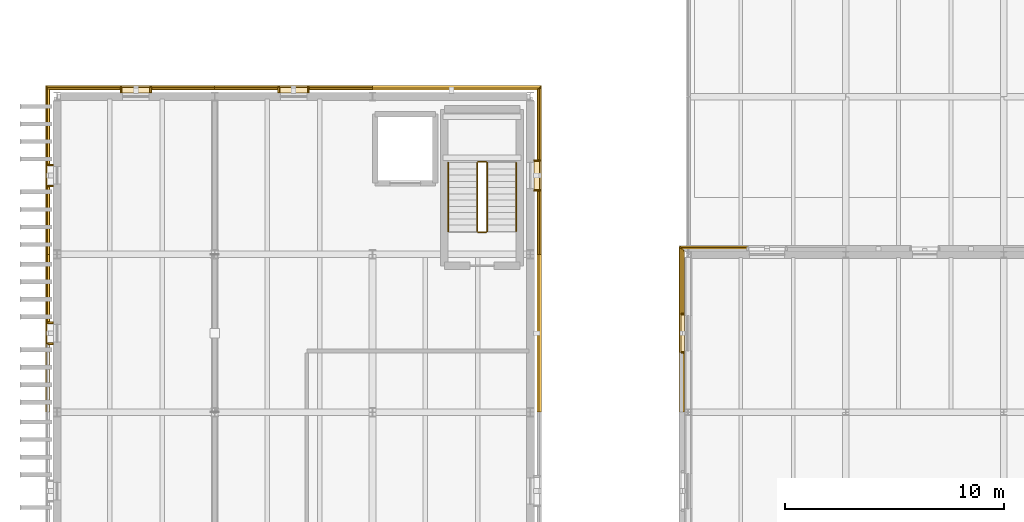
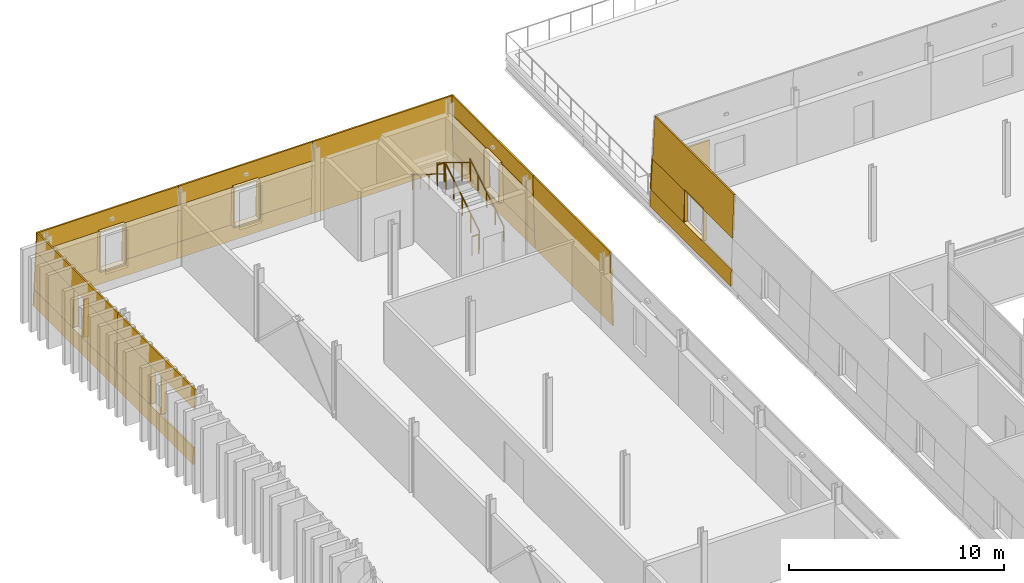
# One storey, part 64 of 66: 47 coverings, 6 railings.
"""IFC4 building model written with IfcOpenShell, lengths in metres."""

from ifc_helpers import new_model, si_unit, direction, frame, origin, origin_2d, place, context, subcontext, project, spatial, polyline, circle, outline, extrude, material, layer, layer_set, type_object, element, save


model = new_model("IFC4")

# Units and contexts
model_context = context("Model", 3, precision=1e-05, world=origin(), true_north=direction((0.0, 1.0)))
body_context = subcontext(model_context, "Body", "Model", "MODEL_VIEW")
ifc_project = project(units=[si_unit("LENGTHUNIT", "METRE"), si_unit("AREAUNIT", "SQUARE_METRE"), si_unit("VOLUMEUNIT", "CUBIC_METRE"), si_unit("PLANEANGLEUNIT", "RADIAN"), si_unit("MASSUNIT", "GRAM", prefix="KILO")], contexts=[model_context])

# Site, building, storey
site_placement = place(None, origin())
site = spatial("IfcSite", under=ifc_project, at=site_placement, CompositionType="ELEMENT")
building_placement = place(site_placement, origin())
building = spatial("IfcBuilding", under=site, at=building_placement, Name="Narikvali Park Central Library", CompositionType="ELEMENT")
storey_placement = place(building_placement, frame((0.0, 0.0, 18.60009765625)))
storey = spatial("IfcBuildingStorey", under=building, at=storey_placement, Name="L04", CompositionType="ELEMENT", Elevation=18.60009765625)

# Coverings
ifc_material_1 = material(Name="White Honed Limestone Cladding", Category="masonry")
ifc_layer_1 = layer(ifc_material_1, 0.0849609375, Name="White Honed Limestone Cladding")
ifc_layer_set_1 = layer_set([ifc_layer_1], Name="White Honed Limestone Cladding")
covering_type_1 = type_object("IfcCoveringType", Name="Battered White Limestone Facade Cladding Panel", PredefinedType="CLADDING", material=ifc_layer_set_1)
covering_1_placement = place(storey_placement, frame((31.56005859375, 101.181396484375, 0.949951171875), z_axis=(0.0, 0.999435271004, 0.033602664664), x_axis=(-1.0, 0.0, 0.0)))
element("IfcCovering", 1, at=covering_1_placement, inside=storey, type_object=covering_type_1, Name="V4 L04 N Battered Limestone Jamb Pier R B04", PredefinedType="CLADDING", context=body_context, shape_type="SweptSolid", body=[
    extrude(outline(polyline([(0.0, 0.0), (3.1416015625, 0.0), (3.08251953125, 1.7509888341657691), (0.0, 1.7509888341657691), (0.0, 0.0)])), origin(), (0.0, 0.0, -1.0), 0.0849609375),
])
covering_2_placement = place(storey_placement, frame((28.386474609375, 101.12841796875, 0.0), z_axis=(-0.999433733171, 0.0, 0.033648372924), x_axis=(0.0, -1.0, 0.0)))
element("IfcCovering", 2, at=covering_2_placement, inside=storey, type_object=covering_type_1, Name="V4 L04 W Battered Limestone Spandrel B01", PredefinedType="CLADDING", context=body_context, shape_type="SweptSolid", body=[
    extrude(outline(polyline([(0.0, 0.0), (7.5283203125, 0.0), (7.5283203125, 0.9504894024951968), (0.031982421875, 0.9504894024951968), (0.0, 0.0)])), origin(), (0.0, 0.0, -1.0), 0.0849609375),
])
covering_3_placement = place(storey_placement, frame((28.4775390625, 101.03759765625, 2.699951171875), z_axis=(-0.999433239835, 0.0, 0.033663022926), x_axis=(0.0, -1.0, 0.0)))
element("IfcCovering", 3, at=covering_3_placement, inside=storey, type_object=covering_type_1, Name="V4 L04 W Battered Limestone Lintel B01", PredefinedType="CLADDING", context=body_context, shape_type="SweptSolid", body=[
    extrude(outline(polyline([(0.0, 0.0), (7.4375, 0.0), (7.4375, 2.4513404940173866), (0.08251953125, 2.4513404940173866), (0.0, 0.0)])), origin(), (0.0, 0.0, -1.0), 0.0849609375),
])
covering_4_placement = place(storey_placement, frame((28.41845703125, 101.096435546875, 0.949951171875), z_axis=(-0.999430578744, 0.0, 0.033741936392), x_axis=(0.0, -1.0, 0.0)))
element("IfcCovering", 4, at=covering_4_placement, inside=storey, type_object=covering_type_1, Name="V4 L04 W Battered Limestone Jamb Pier L B01", PredefinedType="CLADDING", context=body_context, shape_type="SweptSolid", body=[
    extrude(outline(polyline([(0.0, 0.0), (3.056396484375, 0.0), (3.056396484375, 1.7509970549423053), (0.058837890625, 1.7509970549423053), (0.0, 0.0)])), origin(), (0.0, 0.0, -1.0), 0.0849609375),
])
covering_5_placement = place(storey_placement, frame((22.1123046875, 93.60009765625, 0.0), z_axis=(0.999597895197, 0.0, 0.0283557387), x_axis=(0.0, 1.0, 0.0)))
element("IfcCovering", 5, at=covering_5_placement, inside=storey, type_object=covering_type_1, Name="V5 L04 E Battered Limestone Panel B09", PredefinedType="CLADDING", context=body_context, shape_type="SweptSolid", body=[
    extrude(outline(polyline([(0.0, 0.0), (7.199951171875, 0.0), (7.199951171875, 4.201640671768538), (0.0, 4.201640671768538), (0.0, 0.0)])), origin(), (0.0, 0.0, -1.0), 0.0849609375),
])
covering_6_placement = place(storey_placement, frame((22.1123046875, 100.800048828125, 0.0), z_axis=(0.999600632529, 0.0, 0.02825907725), x_axis=(0.0, 1.0, 0.0)))
element("IfcCovering", 6, at=covering_6_placement, inside=storey, type_object=covering_type_1, Name="V5 L04 E Battered Limestone Spandrel B10", PredefinedType="CLADDING", context=body_context, shape_type="SweptSolid", body=[
    extrude(outline(polyline([(0.0, 0.0), (7.627197265625, 0.0), (7.600341796875, 0.950330703044192), (0.0, 0.950330703044192), (0.0, 0.0)])), origin(), (0.0, 0.0, -1.0), 0.0849609375),
])
covering_7_placement = place(storey_placement, frame((22.0244140625, 100.800048828125, 3.099853515625), z_axis=(0.999596777432, 0.0, 0.028395114849), x_axis=(0.0, 1.0, 0.0)))
element("IfcCovering", 7, at=covering_7_placement, inside=storey, type_object=covering_type_1, Name="V5 L04 E Battered Limestone Lintel B10", PredefinedType="CLADDING", context=body_context, shape_type="SweptSolid", body=[
    extrude(outline(polyline([(0.0, 0.0), (7.539306640625, 0.0), (7.508056640625, 1.1005414193871774), (0.0, 1.1005414193871774), (0.0, 0.0)])), origin(), (0.0, 0.0, -1.0), 0.0849609375),
])
covering_8_placement = place(storey_placement, frame((22.08544921875, 100.800048828125, 0.949951171875), z_axis=(0.99959725493, 0.0, 0.028378300447), x_axis=(0.0, 1.0, 0.0)))
element("IfcCovering", 8, at=covering_8_placement, inside=storey, type_object=covering_type_1, Name="V5 L04 E Battered Limestone Jamb Pier L B10", PredefinedType="CLADDING", context=body_context, shape_type="SweptSolid", body=[
    extrude(outline(polyline([(0.0, 0.0), (2.9599609375, 0.0), (2.9599609375, 2.150768555182125), (0.0, 2.150768555182125), (0.0, 0.0)])), origin(), (0.0, 0.0, -1.0), 0.0849609375),
])
covering_9_placement = place(storey_placement, frame((22.08544921875, 105.0400390625, 0.949951171875), z_axis=(0.99959725493, 0.0, 0.028378300447), x_axis=(0.0, 1.0, 0.0)))
element("IfcCovering", 9, at=covering_9_placement, inside=storey, type_object=covering_type_1, Name="V5 L04 E Battered Limestone Jamb Pier R B10", PredefinedType="CLADDING", context=body_context, shape_type="SweptSolid", body=[
    extrude(outline(polyline([(0.0, 0.0), (3.3603515625, 0.0), (3.29931640625, 2.150768555182125), (0.0, 2.150768555182125), (0.0, 0.0)])), origin(), (0.0, 0.0, -1.0), 0.0849609375),
])
covering_10_placement = place(storey_placement, frame((22.1123046875, 108.51220703125, 0.0), z_axis=(0.0, 0.99959954049, 0.028297679255), x_axis=(-1.0, 0.0, 0.0)))
element("IfcCovering", 10, at=covering_10_placement, inside=storey, type_object=covering_type_1, Name="V5 L04 N Battered Limestone Panel B01", PredefinedType="CLADDING", context=body_context, shape_type="SweptSolid", body=[
    extrude(outline(polyline([(0.0, 0.0), (7.71240234375, 0.0), (7.71240234375, 4.201633756068099), (0.119140625, 4.201633756068099), (0.0, 0.0)])), origin(), (0.0, 0.0, -1.0), 0.0849609375),
])
covering_11_placement = place(storey_placement, frame((14.39990234375, 108.51220703125, 0.0), z_axis=(0.0, 0.999600632529, 0.02825907725), x_axis=(-1.0, 0.0, 0.0)))
element("IfcCovering", 11, at=covering_11_placement, inside=storey, type_object=covering_type_1, Name="V5 L04 N Battered Limestone Spandrel B02", PredefinedType="CLADDING", context=body_context, shape_type="SweptSolid", body=[
    extrude(outline(polyline([(0.0, 0.0), (7.199951171875, 0.0), (7.199951171875, 0.9503307030441919), (0.0, 0.9503307030441919), (0.0, 0.0)])), origin(), (0.0, 0.0, -1.0), 0.0849609375),
])
covering_12_placement = place(storey_placement, frame((14.39990234375, 108.42431640625, 3.099853515625), z_axis=(0.0, 0.999603049438, 0.028173454789), x_axis=(-1.0, 0.0, 0.0)))
element("IfcCovering", 12, at=covering_12_placement, inside=storey, type_object=covering_type_1, Name="V5 L04 N Battered Limestone Lintel B02", PredefinedType="CLADDING", context=body_context, shape_type="SweptSolid", body=[
    extrude(outline(polyline([(0.0, 0.0), (7.199951171875, 0.0), (7.199951171875, 1.1005345140441192), (0.0, 1.1005345140441192), (0.0, 0.0)])), origin(), (0.0, 0.0, -1.0), 0.0849609375),
])
for number, where, z_axis, x_axis, name in (
    (13, (14.39990234375, 108.4853515625, 0.949951171875), (0.0, 0.99959725493, 0.028378300447), (-1.0, 0.0, 0.0), "V5 L04 N Battered Limestone Jamb Pier L B02"),
    (14, (10.159912109375, 108.4853515625, 0.949951171875), (0.0, 0.99959725493, 0.028378300447), (-1.0, 0.0, 0.0), "V5 L04 N Battered Limestone Jamb Pier R B02"),
):
    element("IfcCovering", number, at=place(storey_placement, frame(where, z_axis=z_axis, x_axis=x_axis)), inside=storey, type_object=covering_type_1, Name=name, PredefinedType="CLADDING", context=body_context, shape_type="SweptSolid", body=[
        extrude(outline(polyline([(0.0, 0.0), (2.9599609375, 0.0), (2.9599609375, 2.150768555182125), (0.0, 2.150768555182125), (0.0, 0.0)])), origin(), (0.0, 0.0, -1.0), 0.0849609375),
    ])
covering_13_placement = place(storey_placement, frame((7.199951171875, 108.51220703125, 0.0), z_axis=(0.0, 0.999600632529, 0.02825907725), x_axis=(-1.0, 0.0, 0.0)))
element("IfcCovering", 15, at=covering_13_placement, inside=storey, type_object=covering_type_1, Name="V5 L04 N Battered Limestone Spandrel B03", PredefinedType="CLADDING", context=body_context, shape_type="SweptSolid", body=[
    extrude(outline(polyline([(0.0, 0.0), (7.712158203125, 0.0), (7.685302734375, 0.950330703044192), (0.0, 0.950330703044192), (0.0, 0.0)])), origin(), (0.0, 0.0, -1.0), 0.0849609375),
])
covering_14_placement = place(storey_placement, frame((7.199951171875, 108.42431640625, 3.099853515625), z_axis=(0.0, 0.999603049438, 0.028173454789), x_axis=(-1.0, 0.0, 0.0)))
element("IfcCovering", 16, at=covering_14_placement, inside=storey, type_object=covering_type_1, Name="V5 L04 N Battered Limestone Lintel B03", PredefinedType="CLADDING", context=body_context, shape_type="SweptSolid", body=[
    extrude(outline(polyline([(0.0, 0.0), (7.624267578125, 0.0), (7.59326171875, 1.1005345140441192), (0.0, 1.1005345140441192), (0.0, 0.0)])), origin(), (0.0, 0.0, -1.0), 0.0849609375),
])
covering_15_placement = place(storey_placement, frame((7.199951171875, 108.4853515625, 0.949951171875), z_axis=(0.0, 0.99959725493, 0.028378300447), x_axis=(-1.0, 0.0, 0.0)))
element("IfcCovering", 17, at=covering_15_placement, inside=storey, type_object=covering_type_1, Name="V5 L04 N Battered Limestone Jamb Pier L B03", PredefinedType="CLADDING", context=body_context, shape_type="SweptSolid", body=[
    extrude(outline(polyline([(0.0, 0.0), (2.9599609375, 0.0), (2.9599609375, 2.150768555182125), (0.0, 2.150768555182125), (0.0, 0.0)])), origin(), (0.0, 0.0, -1.0), 0.0849609375),
])
covering_16_placement = place(storey_placement, frame((2.9599609375, 108.4853515625, 0.949951171875), z_axis=(0.0, 0.99959725493, 0.028378300447), x_axis=(-1.0, 0.0, 0.0)))
element("IfcCovering", 18, at=covering_16_placement, inside=storey, type_object=covering_type_1, Name="V5 L04 N Battered Limestone Jamb Pier R B03", PredefinedType="CLADDING", context=body_context, shape_type="SweptSolid", body=[
    extrude(outline(polyline([(0.0, 0.0), (3.4453125, 0.0), (3.38427734375, 2.150768555182125), (0.0, 2.150768555182125), (0.0, 0.0)])), origin(), (0.0, 0.0, -1.0), 0.0849609375),
])
covering_17_placement = place(storey_placement, frame((-0.51220703125, 108.42724609375, 0.0), z_axis=(-0.999600632529, 0.0, 0.02825907725), x_axis=(0.0, -1.0, 0.0)))
element("IfcCovering", 19, at=covering_17_placement, inside=storey, type_object=covering_type_1, Name="V5 L04 W Battered Limestone Spandrel B01", PredefinedType="CLADDING", context=body_context, shape_type="SweptSolid", body=[
    extrude(outline(polyline([(0.0, 0.0), (7.627197265625, 0.0), (7.627197265625, 0.950330703044192), (0.02685546875, 0.950330703044192), (0.0, 0.0)])), origin(), (0.0, 0.0, -1.0), 0.0849609375),
])
covering_18_placement = place(storey_placement, frame((-0.42431640625, 108.33935546875, 3.099853515625), z_axis=(-0.999603049438, 0.0, 0.028173454789), x_axis=(0.0, -1.0, 0.0)))
element("IfcCovering", 20, at=covering_18_placement, inside=storey, type_object=covering_type_1, Name="V5 L04 W Battered Limestone Lintel B01", PredefinedType="CLADDING", context=body_context, shape_type="SweptSolid", body=[
    extrude(outline(polyline([(0.0, 0.0), (7.539306640625, 0.0), (7.539306640625, 1.1005345140441192), (0.03125, 1.1005345140441192), (0.0, 0.0)])), origin(), (0.0, 0.0, -1.0), 0.0849609375),
])
covering_19_placement = place(storey_placement, frame((-0.4853515625, 108.400390625, 0.949951171875), z_axis=(-0.99959725493, 0.0, 0.028378300447), x_axis=(0.0, -1.0, 0.0)))
element("IfcCovering", 21, at=covering_19_placement, inside=storey, type_object=covering_type_1, Name="V5 L04 W Battered Limestone Jamb Pier L B01", PredefinedType="CLADDING", context=body_context, shape_type="SweptSolid", body=[
    extrude(outline(polyline([(0.0, 0.0), (3.560302734375, 0.0), (3.560302734375, 2.150768555182125), (0.06103515625, 2.150768555182125), (0.0, 0.0)])), origin(), (0.0, 0.0, -1.0), 0.0849609375),
])
covering_20_placement = place(storey_placement, frame((-0.4853515625, 103.9599609375, 0.949951171875), z_axis=(-0.99959725493, 0.0, 0.028378300447), x_axis=(0.0, -1.0, 0.0)))
element("IfcCovering", 22, at=covering_20_placement, inside=storey, type_object=covering_type_1, Name="V5 L04 W Battered Limestone Jamb Pier R B01", PredefinedType="CLADDING", context=body_context, shape_type="SweptSolid", body=[
    extrude(outline(polyline([(0.0, 0.0), (3.159912109375, 0.0), (3.159912109375, 2.150768555182125), (0.0, 2.150768555182125), (0.0, 0.0)])), origin(), (0.0, 0.0, -1.0), 0.0849609375),
])
covering_21_placement = place(storey_placement, frame((-0.51220703125, 100.800048828125, 0.0), z_axis=(-0.999600632529, 0.0, 0.02825907725), x_axis=(0.0, -1.0, 0.0)))
element("IfcCovering", 23, at=covering_21_placement, inside=storey, type_object=covering_type_1, Name="V5 L04 W Battered Limestone Spandrel B02", PredefinedType="CLADDING", context=body_context, shape_type="SweptSolid", body=[
    extrude(outline(polyline([(0.0, 0.0), (7.199951171875, 0.0), (7.199951171875, 0.9503307030441919), (0.0, 0.9503307030441919), (0.0, 0.0)])), origin(), (0.0, 0.0, -1.0), 0.0849609375),
])
covering_22_placement = place(storey_placement, frame((-0.42431640625, 100.800048828125, 3.099853515625), z_axis=(-0.999603049438, 0.0, 0.028173454789), x_axis=(0.0, -1.0, 0.0)))
element("IfcCovering", 24, at=covering_22_placement, inside=storey, type_object=covering_type_1, Name="V5 L04 W Battered Limestone Lintel B02", PredefinedType="CLADDING", context=body_context, shape_type="SweptSolid", body=[
    extrude(outline(polyline([(0.0, 0.0), (7.199951171875, 0.0), (7.199951171875, 1.1005345140441192), (0.0, 1.1005345140441192), (0.0, 0.0)])), origin(), (0.0, 0.0, -1.0), 0.0849609375),
])
covering_23_placement = place(storey_placement, frame((-0.4853515625, 100.800048828125, 0.949951171875), z_axis=(-0.99959725493, 0.0, 0.028378300447), x_axis=(0.0, -1.0, 0.0)))
element("IfcCovering", 25, at=covering_23_placement, inside=storey, type_object=covering_type_1, Name="V5 L04 W Battered Limestone Jamb Pier L B02", PredefinedType="CLADDING", context=body_context, shape_type="SweptSolid", body=[
    extrude(outline(polyline([(0.0, 0.0), (3.16015625, 0.0), (3.16015625, 2.150768555182125), (0.0, 2.150768555182125), (0.0, 0.0)])), origin(), (0.0, 0.0, -1.0), 0.0849609375),
])
ifc_layer_2 = layer(ifc_material_1, 0.080078125, Name="White Honed Limestone Cladding")
ifc_layer_set_2 = layer_set([ifc_layer_2], Name="White Honed Limestone Cladding")
covering_type_2 = type_object("IfcCoveringType", Name="Deep Carved White Limestone Window Reveal", PredefinedType="CLADDING", material=ifc_layer_set_2)
covering_24_placement = place(storey_placement, frame((0.0, 0.0, 2.699951171875)))
element("IfcCovering", 26, at=covering_24_placement, inside=storey, type_object=covering_type_2, Name="Deep Stone Reveal Head V4-RVL-L04-W-B01", PredefinedType="CLADDING", context=body_context, shape_type="SweptSolid", body=[
    extrude(outline(polyline([(28.635009765625, 98.080078125), (28.635009765625, 96.320068359375), (28.4775390625, 96.320068359375), (28.4775390625, 98.080078125), (28.635009765625, 98.080078125)])), origin(), (0.0, 0.0, 1.0), 0.079833984375),
])
covering_25_placement = place(storey_placement, frame((0.0, 0.0, 0.869873046875)))
element("IfcCovering", 27, at=covering_25_placement, inside=storey, type_object=covering_type_2, Name="Deep Stone Reveal Sill V4-RVL-L04-W-B01", PredefinedType="CLADDING", context=body_context, shape_type="SweptSolid", body=[
    extrude(outline(polyline([(28.635009765625, 98.080078125), (28.635009765625, 96.320068359375), (28.41845703125, 96.320068359375), (28.41845703125, 98.080078125), (28.635009765625, 98.080078125)])), origin(), (0.0, 0.0, 1.0), 0.080078125),
])
covering_26_placement = place(storey_placement, frame((0.0, 0.0, 0.949951171875)))
element("IfcCovering", 28, at=covering_26_placement, inside=storey, type_object=covering_type_2, Name="Deep Stone Reveal Jamb L V4-RVL-L04-W-B01", PredefinedType="CLADDING", context=body_context, shape_type="SweptSolid", body=[
    extrude(outline(polyline([(28.635009765625, 98.1201171875), (28.635009765625, 98.0400390625), (28.4775390625, 98.0400390625), (28.4775390625, 98.1201171875), (28.635009765625, 98.1201171875)])), origin(), (0.0, 0.0, 1.0), 1.75),
])
covering_27_placement = place(storey_placement, frame((0.0, 0.0, 0.949951171875)))
element("IfcCovering", 29, at=covering_27_placement, inside=storey, type_object=covering_type_2, Name="Deep Stone Reveal Jamb R V4-RVL-L04-W-B01", PredefinedType="CLADDING", context=body_context, shape_type="SweptSolid", body=[
    extrude(outline(polyline([(28.635009765625, 96.360107421875), (28.635009765625, 96.280029296875), (28.4775390625, 96.280029296875), (28.4775390625, 96.360107421875), (28.635009765625, 96.360107421875)])), origin(), (0.0, 0.0, 1.0), 1.75),
])
covering_28_placement = place(storey_placement, frame((0.0, 0.0, 3.099853515625)))
element("IfcCovering", 30, at=covering_28_placement, inside=storey, type_object=covering_type_2, Name="Deep Stone Reveal Head V5-RVL-L04-E-B10", PredefinedType="CLADDING", context=body_context, shape_type="SweptSolid", body=[
    extrude(outline(polyline([(21.764892578125, 103.719970703125), (21.764892578125, 105.080078125), (22.0244140625, 105.080078125), (22.0244140625, 103.719970703125), (21.764892578125, 103.719970703125)])), origin(), (0.0, 0.0, 1.0), 0.080078125),
])
covering_29_placement = place(storey_placement, frame((0.0, 0.0, 0.869873046875)))
element("IfcCovering", 31, at=covering_29_placement, inside=storey, type_object=covering_type_2, Name="Deep Stone Reveal Sill V5-RVL-L04-E-B10", PredefinedType="CLADDING", context=body_context, shape_type="SweptSolid", body=[
    extrude(outline(polyline([(21.764892578125, 103.719970703125), (21.764892578125, 105.080078125), (22.08544921875, 105.080078125), (22.08544921875, 103.719970703125), (21.764892578125, 103.719970703125)])), origin(), (0.0, 0.0, 1.0), 0.080078125),
])
covering_30_placement = place(storey_placement, frame((0.0, 0.0, 0.949951171875)))
element("IfcCovering", 32, at=covering_30_placement, inside=storey, type_object=covering_type_2, Name="Deep Stone Reveal Jamb L V5-RVL-L04-E-B10", PredefinedType="CLADDING", context=body_context, shape_type="SweptSolid", body=[
    extrude(outline(polyline([(21.764892578125, 103.679931640625), (21.764892578125, 103.760009765625), (22.0244140625, 103.760009765625), (22.0244140625, 103.679931640625), (21.764892578125, 103.679931640625)])), origin(), (0.0, 0.0, 1.0), 2.14990234375),
])
covering_31_placement = place(storey_placement, frame((0.0, 0.0, 0.949951171875)))
element("IfcCovering", 33, at=covering_31_placement, inside=storey, type_object=covering_type_2, Name="Deep Stone Reveal Jamb R V5-RVL-L04-E-B10", PredefinedType="CLADDING", context=body_context, shape_type="SweptSolid", body=[
    extrude(outline(polyline([(21.764892578125, 105.0400390625), (21.764892578125, 105.1201171875), (22.0244140625, 105.1201171875), (22.0244140625, 105.0400390625), (21.764892578125, 105.0400390625)])), origin(), (0.0, 0.0, 1.0), 2.14990234375),
])
covering_32_placement = place(storey_placement, frame((0.0, 0.0, 3.099853515625)))
element("IfcCovering", 34, at=covering_32_placement, inside=storey, type_object=covering_type_2, Name="Deep Stone Reveal Head V5-RVL-L04-N-B02", PredefinedType="CLADDING", context=body_context, shape_type="SweptSolid", body=[
    extrude(outline(polyline([(11.47998046875, 108.1650390625), (10.1201171875, 108.1650390625), (10.1201171875, 108.42431640625), (11.47998046875, 108.42431640625), (11.47998046875, 108.1650390625)])), origin(), (0.0, 0.0, 1.0), 0.080078125),
])
covering_33_placement = place(storey_placement, frame((0.0, 0.0, 0.869873046875)))
element("IfcCovering", 35, at=covering_33_placement, inside=storey, type_object=covering_type_2, Name="Deep Stone Reveal Sill V5-RVL-L04-N-B02", PredefinedType="CLADDING", context=body_context, shape_type="SweptSolid", body=[
    extrude(outline(polyline([(11.47998046875, 108.1650390625), (10.1201171875, 108.1650390625), (10.1201171875, 108.4853515625), (11.47998046875, 108.4853515625), (11.47998046875, 108.1650390625)])), origin(), (0.0, 0.0, 1.0), 0.080078125),
])
covering_34_placement = place(storey_placement, frame((0.0, 0.0, 0.949951171875)))
element("IfcCovering", 36, at=covering_34_placement, inside=storey, type_object=covering_type_2, Name="Deep Stone Reveal Jamb L V5-RVL-L04-N-B02", PredefinedType="CLADDING", context=body_context, shape_type="SweptSolid", body=[
    extrude(outline(polyline([(11.52001953125, 108.1650390625), (11.43994140625, 108.1650390625), (11.43994140625, 108.42431640625), (11.52001953125, 108.42431640625), (11.52001953125, 108.1650390625)])), origin(), (0.0, 0.0, 1.0), 2.14990234375),
])
covering_35_placement = place(storey_placement, frame((0.0, 0.0, 0.949951171875)))
element("IfcCovering", 37, at=covering_35_placement, inside=storey, type_object=covering_type_2, Name="Deep Stone Reveal Jamb R V5-RVL-L04-N-B02", PredefinedType="CLADDING", context=body_context, shape_type="SweptSolid", body=[
    extrude(outline(polyline([(10.159912109375, 108.1650390625), (10.080078125, 108.1650390625), (10.080078125, 108.42431640625), (10.159912109375, 108.42431640625), (10.159912109375, 108.1650390625)])), origin(), (0.0, 0.0, 1.0), 2.14990234375),
])
covering_36_placement = place(storey_placement, frame((0.0, 0.0, 3.099853515625)))
element("IfcCovering", 38, at=covering_36_placement, inside=storey, type_object=covering_type_2, Name="Deep Stone Reveal Head V5-RVL-L04-N-B03", PredefinedType="CLADDING", context=body_context, shape_type="SweptSolid", body=[
    extrude(outline(polyline([(4.280029296875, 108.1650390625), (2.919921875, 108.1650390625), (2.919921875, 108.42431640625), (4.280029296875, 108.42431640625), (4.280029296875, 108.1650390625)])), origin(), (0.0, 0.0, 1.0), 0.080078125),
])
covering_37_placement = place(storey_placement, frame((0.0, 0.0, 0.869873046875)))
element("IfcCovering", 39, at=covering_37_placement, inside=storey, type_object=covering_type_2, Name="Deep Stone Reveal Sill V5-RVL-L04-N-B03", PredefinedType="CLADDING", context=body_context, shape_type="SweptSolid", body=[
    extrude(outline(polyline([(4.280029296875, 108.1650390625), (2.919921875, 108.1650390625), (2.919921875, 108.4853515625), (4.280029296875, 108.4853515625), (4.280029296875, 108.1650390625)])), origin(), (0.0, 0.0, 1.0), 0.080078125),
])
covering_38_placement = place(storey_placement, frame((0.0, 0.0, 0.949951171875)))
element("IfcCovering", 40, at=covering_38_placement, inside=storey, type_object=covering_type_2, Name="Deep Stone Reveal Jamb L V5-RVL-L04-N-B03", PredefinedType="CLADDING", context=body_context, shape_type="SweptSolid", body=[
    extrude(outline(polyline([(4.320068359375, 108.1650390625), (4.239990234375, 108.1650390625), (4.239990234375, 108.42431640625), (4.320068359375, 108.42431640625), (4.320068359375, 108.1650390625)])), origin(), (0.0, 0.0, 1.0), 2.14990234375),
])
covering_39_placement = place(storey_placement, frame((0.0, 0.0, 0.949951171875)))
element("IfcCovering", 41, at=covering_39_placement, inside=storey, type_object=covering_type_2, Name="Deep Stone Reveal Jamb R V5-RVL-L04-N-B03", PredefinedType="CLADDING", context=body_context, shape_type="SweptSolid", body=[
    extrude(outline(polyline([(2.9599609375, 108.1650390625), (2.8798828125, 108.1650390625), (2.8798828125, 108.42431640625), (2.9599609375, 108.42431640625), (2.9599609375, 108.1650390625)])), origin(), (0.0, 0.0, 1.0), 2.14990234375),
])
covering_40_placement = place(storey_placement, frame((0.0, 0.0, 0.869873046875)))
element("IfcCovering", 42, at=covering_40_placement, inside=storey, type_object=covering_type_2, Name="Deep Stone Reveal Sill V5-RVL-L04-W-B01", PredefinedType="CLADDING", context=body_context, shape_type="SweptSolid", body=[
    extrude(outline(polyline([(-0.1650390625, 104.8798828125), (-0.1650390625, 103.919921875), (-0.4853515625, 103.919921875), (-0.4853515625, 104.8798828125), (-0.1650390625, 104.8798828125)])), origin(), (0.0, 0.0, 1.0), 0.080078125),
])
covering_41_placement = place(storey_placement, frame((0.0, 0.0, 0.949951171875)))
element("IfcCovering", 43, at=covering_41_placement, inside=storey, type_object=covering_type_2, Name="Deep Stone Reveal Jamb L V5-RVL-L04-W-B01", PredefinedType="CLADDING", context=body_context, shape_type="SweptSolid", body=[
    extrude(outline(polyline([(-0.1650390625, 104.919921875), (-0.1650390625, 104.840087890625), (-0.42431640625, 104.840087890625), (-0.42431640625, 104.919921875), (-0.1650390625, 104.919921875)])), origin(), (0.0, 0.0, 1.0), 2.14990234375),
])
covering_42_placement = place(storey_placement, frame((0.0, 0.0, 0.949951171875)))
element("IfcCovering", 44, at=covering_42_placement, inside=storey, type_object=covering_type_2, Name="Deep Stone Reveal Jamb R V5-RVL-L04-W-B01", PredefinedType="CLADDING", context=body_context, shape_type="SweptSolid", body=[
    extrude(outline(polyline([(-0.1650390625, 103.9599609375), (-0.1650390625, 103.8798828125), (-0.42431640625, 103.8798828125), (-0.42431640625, 103.9599609375), (-0.1650390625, 103.9599609375)])), origin(), (0.0, 0.0, 1.0), 2.14990234375),
])
covering_43_placement = place(storey_placement, frame((0.0, 0.0, 0.869873046875)))
element("IfcCovering", 45, at=covering_43_placement, inside=storey, type_object=covering_type_2, Name="Deep Stone Reveal Sill V5-RVL-L04-W-B02", PredefinedType="CLADDING", context=body_context, shape_type="SweptSolid", body=[
    extrude(outline(polyline([(-0.1650390625, 97.679931640625), (-0.1650390625, 96.719970703125), (-0.4853515625, 96.719970703125), (-0.4853515625, 97.679931640625), (-0.1650390625, 97.679931640625)])), origin(), (0.0, 0.0, 1.0), 0.080078125),
])
covering_44_placement = place(storey_placement, frame((0.0, 0.0, 0.949951171875)))
element("IfcCovering", 46, at=covering_44_placement, inside=storey, type_object=covering_type_2, Name="Deep Stone Reveal Jamb L V5-RVL-L04-W-B02", PredefinedType="CLADDING", context=body_context, shape_type="SweptSolid", body=[
    extrude(outline(polyline([(-0.1650390625, 97.719970703125), (-0.1650390625, 97.639892578125), (-0.42431640625, 97.639892578125), (-0.42431640625, 97.719970703125), (-0.1650390625, 97.719970703125)])), origin(), (0.0, 0.0, 1.0), 2.14990234375),
])
covering_45_placement = place(storey_placement, frame((0.0, 0.0, 0.949951171875)))
element("IfcCovering", 47, at=covering_45_placement, inside=storey, type_object=covering_type_2, Name="Deep Stone Reveal Jamb R V5-RVL-L04-W-B02", PredefinedType="CLADDING", context=body_context, shape_type="SweptSolid", body=[
    extrude(outline(polyline([(-0.1650390625, 96.760009765625), (-0.1650390625, 96.679931640625), (-0.42431640625, 96.679931640625), (-0.42431640625, 96.760009765625), (-0.1650390625, 96.760009765625)])), origin(), (0.0, 0.0, 1.0), 2.14990234375),
])

# Railings
ifc_material_2 = material(Name="Brushed Stainless Steel S355", Category="steel")
ifc_layer_3 = layer(ifc_material_2, 0.044921875, Name="Brushed Stainless Steel S355")
ifc_layer_set_3 = layer_set([ifc_layer_3], Name="Brushed Stainless Steel S355")
railing_type_1 = type_object("IfcRailingType", Name="Stair Tubular Steel Handrail 900", PredefinedType="HANDRAIL", material=ifc_layer_set_3)
railing_1_placement = place(storey_placement, frame((20.949951171875, 101.85009765625, 0.1748046875)))
element("IfcRailing", 48, at=railing_1_placement, inside=storey, type_object=railing_type_1, Name="L04 ST-10 stair handrail 1", PredefinedType="HANDRAIL", context=body_context, shape_type="SweptSolid", body=[
    extrude(circle(Radius=0.02392578125, at=origin_2d()), frame((0.0, 0.0, 0.8759765625), z_axis=(0.0, 0.852166034122, 0.523271488128), x_axis=(-1.0, 0.0, 0.0)), (0.0, 0.0, 1.0), 3.678955078125),
    extrude(circle(Radius=0.02099609375, at=origin_2d()), origin(), (0.0, 0.0, 1.0), 0.851806640625),
    extrude(circle(Radius=0.02099609375, at=origin_2d()), frame((0.0, 0.78369140625, 0.481201171875)), (0.0, 0.0, 1.0), 0.851806640625),
    extrude(circle(Radius=0.02099609375, at=origin_2d()), frame((0.0, 1.5673828125, 0.96240234375)), (0.0, 0.0, 1.0), 0.851806640625),
    extrude(circle(Radius=0.02099609375, at=origin_2d()), frame((0.0, 2.351318359375, 1.44384765625)), (0.0, 0.0, 1.0), 0.851806640625),
    extrude(circle(Radius=0.02099609375, at=origin_2d()), frame((0.0, 3.135009765625, 1.925048828125)), (0.0, 0.0, 1.0), 0.851806640625),
])
railing_2_placement = place(storey_placement, frame((17.85009765625, 104.985107421875, 2.27490234375)))
element("IfcRailing", 49, at=railing_2_placement, inside=storey, type_object=railing_type_1, Name="L04 ST-10 stair handrail 2", PredefinedType="HANDRAIL", context=body_context, shape_type="SweptSolid", body=[
    extrude(circle(Radius=0.02392578125, at=origin_2d()), frame((0.0, 0.0, 0.8759765625), z_axis=(0.0, -0.852166034122, 0.523271488128), x_axis=(1.0, 0.0, 0.0)), (0.0, 0.0, 1.0), 3.678955078125),
    extrude(circle(Radius=0.02099609375, at=origin_2d()), origin(), (0.0, 0.0, 1.0), 0.851806640625),
    extrude(circle(Radius=0.02099609375, at=origin_2d()), frame((0.0, -0.78369140625, 0.481201171875)), (0.0, 0.0, 1.0), 0.851806640625),
    extrude(circle(Radius=0.02099609375, at=origin_2d()), frame((0.0, -1.5673828125, 0.96240234375)), (0.0, 0.0, 1.0), 0.851806640625),
    extrude(circle(Radius=0.02099609375, at=origin_2d()), frame((0.0, -2.351318359375, 1.44384765625)), (0.0, 0.0, 1.0), 0.851806640625),
    extrude(circle(Radius=0.02099609375, at=origin_2d()), frame((0.0, -3.135009765625, 1.925048828125)), (0.0, 0.0, 1.0), 0.851806640625),
])
ifc_material_3 = material(Name="Powder-Coated Steel S275", Category="steel")
ifc_layer_4 = layer(ifc_material_3, 0.050048828125, Name="Powder-Coated Steel S275")
ifc_layer_set_4 = layer_set([ifc_layer_4], Name="Powder-Coated Steel S275")
railing_type_2 = type_object("IfcRailingType", Name="Stair Well Steel Guardrail 1100", PredefinedType="GUARDRAIL", material=ifc_layer_set_4)
railing_3_placement = place(storey_placement, frame((19.6298828125, 101.85009765625, 0.1748046875)))
element("IfcRailing", 50, at=railing_3_placement, inside=storey, type_object=railing_type_2, Name="L04 ST-10 stair guard 1", PredefinedType="GUARDRAIL", context=body_context, shape_type="SweptSolid", body=[
    extrude(circle(Radius=0.02392578125, at=origin_2d()), frame((0.0, 0.0, 1.076171875), z_axis=(0.0, 0.852166034122, 0.523271488128), x_axis=(-1.0, 0.0, 0.0)), (0.0, 0.0, 1.0), 3.678955078125),
    extrude(circle(Radius=0.02099609375, at=origin_2d()), origin(), (0.0, 0.0, 1.0), 1.052001953125),
    extrude(circle(Radius=0.02099609375, at=origin_2d()), frame((0.0, 0.78369140625, 0.481201171875)), (0.0, 0.0, 1.0), 1.052001953125),
    extrude(circle(Radius=0.02099609375, at=origin_2d()), frame((0.0, 1.5673828125, 0.96240234375)), (0.0, 0.0, 1.0), 1.052001953125),
    extrude(circle(Radius=0.02099609375, at=origin_2d()), frame((0.0, 2.351318359375, 1.44384765625)), (0.0, 0.0, 1.0), 1.052001953125),
    extrude(circle(Radius=0.02099609375, at=origin_2d()), frame((0.0, 3.135009765625, 1.925048828125)), (0.0, 0.0, 1.0), 1.052001953125),
])
railing_4_placement = place(storey_placement, frame((19.580078125, 105.034912109375, 2.099853515625)))
element("IfcRailing", 51, at=railing_4_placement, inside=storey, type_object=railing_type_2, Name="L04 ST-10 stair guard 2", PredefinedType="GUARDRAIL", context=body_context, shape_type="SweptSolid", body=[
    extrude(circle(Radius=0.02392578125, at=origin_2d()), frame((0.0, 0.0, 1.076171875), z_axis=(-1.0, 0.0, 0.0), x_axis=(0.0, -1.0, 0.0)), (0.0, 0.0, 1.0), 0.360107421875),
    extrude(circle(Radius=0.02099609375, at=origin_2d()), origin(), (0.0, 0.0, 1.0), 1.052001953125),
    extrude(circle(Radius=0.02099609375, at=origin_2d()), frame((-0.360107421875, 0.0, 0.0)), (0.0, 0.0, 1.0), 1.052001953125),
])
railing_5_placement = place(storey_placement, frame((19.169921875, 104.985107421875, 2.27490234375)))
element("IfcRailing", 52, at=railing_5_placement, inside=storey, type_object=railing_type_2, Name="L04 ST-10 stair guard 3", PredefinedType="GUARDRAIL", context=body_context, shape_type="SweptSolid", body=[
    extrude(circle(Radius=0.02392578125, at=origin_2d()), frame((0.0, 0.0, 1.076171875), z_axis=(0.0, -0.852166034122, 0.523271488128), x_axis=(1.0, 0.0, 0.0)), (0.0, 0.0, 1.0), 3.678955078125),
    extrude(circle(Radius=0.02099609375, at=origin_2d()), origin(), (0.0, 0.0, 1.0), 1.052001953125),
    extrude(circle(Radius=0.02099609375, at=origin_2d()), frame((0.0, -0.78369140625, 0.481201171875)), (0.0, 0.0, 1.0), 1.052001953125),
    extrude(circle(Radius=0.02099609375, at=origin_2d()), frame((0.0, -1.5673828125, 0.96240234375)), (0.0, 0.0, 1.0), 1.052001953125),
    extrude(circle(Radius=0.02099609375, at=origin_2d()), frame((0.0, -2.351318359375, 1.44384765625)), (0.0, 0.0, 1.0), 1.052001953125),
    extrude(circle(Radius=0.02099609375, at=origin_2d()), frame((0.0, -3.135009765625, 1.925048828125)), (0.0, 0.0, 1.0), 1.052001953125),
])
railing_6_placement = place(storey_placement, frame((19.580078125, 101.800048828125, 0.0)))
element("IfcRailing", 53, at=railing_6_placement, inside=storey, type_object=railing_type_2, Name="L04 ST-10 stair guard 4", PredefinedType="GUARDRAIL", context=body_context, shape_type="SweptSolid", body=[
    extrude(circle(Radius=0.02392578125, at=origin_2d()), frame((0.0, 0.0, 1.076171875), z_axis=(-1.0, 0.0, 0.0), x_axis=(0.0, -1.0, 0.0)), (0.0, 0.0, 1.0), 0.360107421875),
    extrude(circle(Radius=0.02099609375, at=origin_2d()), origin(), (0.0, 0.0, 1.0), 1.052001953125),
    extrude(circle(Radius=0.02099609375, at=origin_2d()), frame((-0.360107421875, 0.0, 0.0)), (0.0, 0.0, 1.0), 1.052001953125),
])

save(model, "model.ifc")
